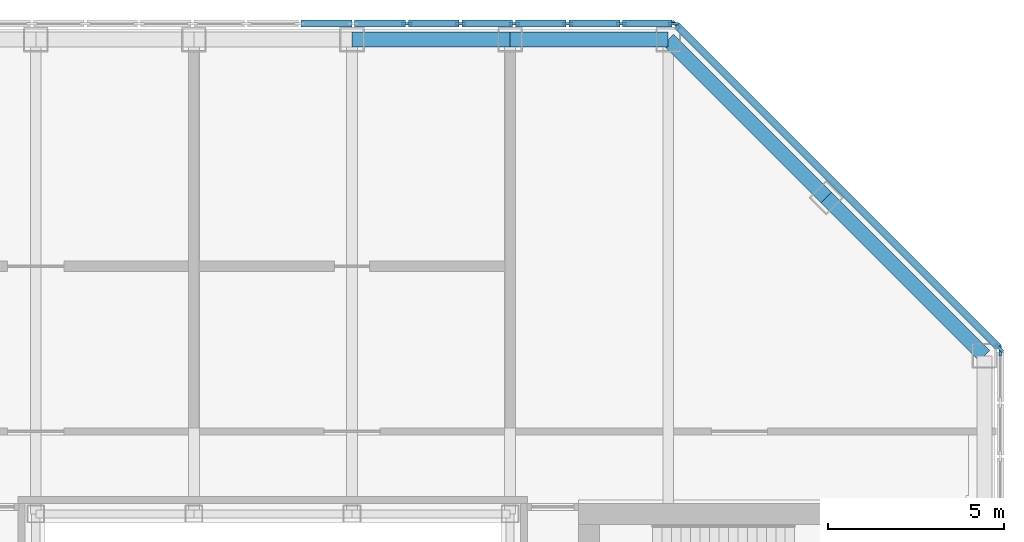
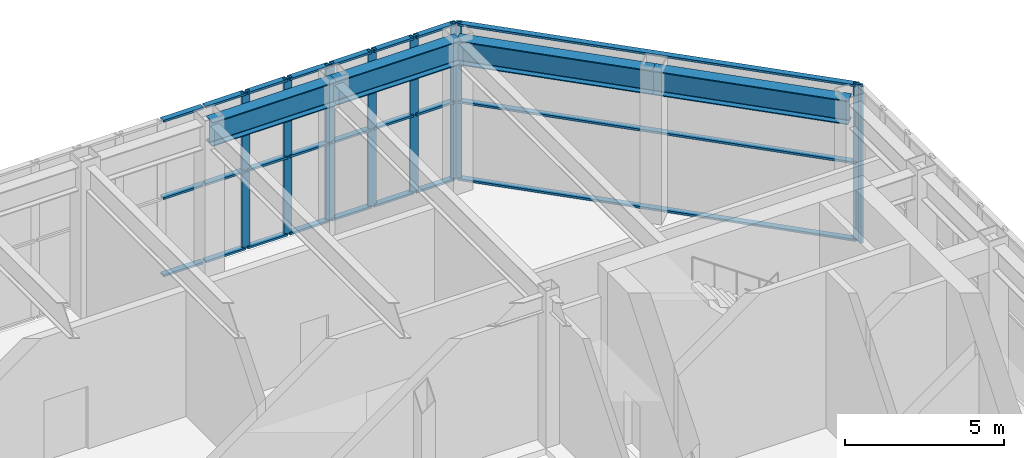
# One storey, part 6 of 12: 33 members, 4 beams, 3 elements without a shape of their own.
"""IFC4 building model written with IfcOpenShell, lengths in metres."""

from ifc_helpers import new_model, si_unit, direction, frame, origin, origin_2d, place, context, subcontext, project, spatial, rectangle, i_section, extrude, material, material_profile, profile_set, type_object, element, aggregate, save


model = new_model("IFC4")

# Units and contexts
model_context = context("Model", 3, precision=1e-05, world=origin(), true_north=direction((0.0, 1.0)))
body_context = subcontext(model_context, "Body", "Model", "MODEL_VIEW")
ifc_project = project(units=[si_unit("LENGTHUNIT", "METRE"), si_unit("AREAUNIT", "SQUARE_METRE"), si_unit("VOLUMEUNIT", "CUBIC_METRE"), si_unit("PLANEANGLEUNIT", "RADIAN"), si_unit("MASSUNIT", "GRAM", prefix="KILO")], contexts=[model_context])

# Site, building, storey
site_placement = place(None, origin())
site = spatial("IfcSite", under=ifc_project, at=site_placement, CompositionType="ELEMENT")
building_placement = place(site_placement, origin())
building = spatial("IfcBuilding", under=site, at=building_placement, Name="Msasa Ring Tower", CompositionType="ELEMENT")
storey_placement = place(building_placement, frame((0.0, 0.0, 262.050048828125)))
storey = spatial("IfcBuildingStorey", under=building, at=storey_placement, Name="L68", CompositionType="ELEMENT", Elevation=262.050048828125)

# Curtain wall, member
ifc_material_1 = material(Name="Aluminium curtain wall with clear glass", Category="aluminium")
curtain_wall_type = type_object("IfcCurtainWallType", Name="CW-L LANTERN CURTAIN WALL", PredefinedType="NOTDEFINED", material=ifc_material_1)
curtain_wall_1_placement = place(storey_placement, origin())
curtain_wall_1 = element("IfcCurtainWall", 1, at=curtain_wall_1_placement, inside=storey, type_object=curtain_wall_type, Name="Lantern curtain wall E L68", PredefinedType="NOTDEFINED")
ifc_material_2 = material(Name="Aluminium mullion", Category="aluminium")
ifc_material_profile_1 = material_profile(ifc_material_2, rectangle(XDim=0.080078125, YDim=0.300048828125, at=origin_2d()), Name="AL 80x300")
ifc_profile_set_1 = profile_set([ifc_material_profile_1], Name="Aluminium mullion")
member_type_1 = type_object("IfcMemberType", Name="CW-L MULLION 80x300", PredefinedType="MULLION", material=ifc_profile_set_1)
member_1_placement = place(storey_placement, frame((20.699951171875, 11.396484375, 0.0), z_axis=(0.0, 0.0, 1.0), x_axis=(-1.0, 0.0, 0.0)))
member_1 = element("IfcMember", 2, at=member_1_placement, type_object=member_type_1, Name="CW-L mullion 16", PredefinedType="MULLION", context=body_context, shape_type="SweptSolid", body=[
    extrude(rectangle(XDim=0.080078125, YDim=0.300048828125, at=origin_2d()), origin(), (0.0, 0.0, 1.0), 6.0),
])
aggregate(curtain_wall_1, [member_1])

# Curtain wall, members
curtain_wall_2_placement = place(storey_placement, origin())
curtain_wall_2 = element("IfcCurtainWall", 3, at=curtain_wall_2_placement, inside=storey, type_object=curtain_wall_type, Name="Lantern curtain wall NE L68", PredefinedType="NOTDEFINED")
member_2_placement = place(storey_placement, frame((20.671630859375, 11.464599609375, 0.0), z_axis=(0.0, 0.0, 1.0), x_axis=(-0.707106781187, -0.707106781187, 0.0)))
member_2 = element("IfcMember", 4, at=member_2_placement, type_object=member_type_1, Name="CW-L mullion 1", PredefinedType="MULLION", context=body_context, shape_type="SweptSolid", body=[
    extrude(rectangle(XDim=0.080078125, YDim=0.300048828125, at=origin_2d()), origin(), (0.0, 0.0, 1.0), 6.0),
])
member_3_placement = place(storey_placement, frame((11.464599609375, 20.671630859375, 0.0), z_axis=(0.0, 0.0, 1.0), x_axis=(-0.707106781187, -0.707106781187, 0.0)))
member_3 = element("IfcMember", 5, at=member_3_placement, type_object=member_type_1, Name="CW-L mullion 2", PredefinedType="MULLION", context=body_context, shape_type="SweptSolid", body=[
    extrude(rectangle(XDim=0.080078125, YDim=0.300048828125, at=origin_2d()), origin(), (0.0, 0.0, 1.0), 6.0),
])

curtain_wall_3_placement = place(storey_placement, origin())
curtain_wall_3 = element("IfcCurtainWall", 6, at=curtain_wall_3_placement, inside=storey, type_object=curtain_wall_type, Name="Lantern curtain wall N L68", PredefinedType="NOTDEFINED")
member_4_placement = place(storey_placement, frame((11.396484375, 20.699951171875, 0.0), z_axis=(0.0, 0.0, 1.0), x_axis=(0.0, -1.0, 0.0)))
member_4 = element("IfcMember", 7, at=member_4_placement, type_object=member_type_1, Name="CW-L mullion 1", PredefinedType="MULLION", context=body_context, shape_type="SweptSolid", body=[
    extrude(rectangle(XDim=0.080078125, YDim=0.300048828125, at=origin_2d()), origin(), (0.0, 0.0, 1.0), 6.0),
])
member_5_placement = place(storey_placement, frame((9.91162109375, 20.699951171875, 0.0), z_axis=(0.0, 0.0, 1.0), x_axis=(0.0, -1.0, 0.0)))
member_5 = element("IfcMember", 8, at=member_5_placement, type_object=member_type_1, Name="CW-L mullion 2", PredefinedType="MULLION", context=body_context, shape_type="SweptSolid", body=[
    extrude(rectangle(XDim=0.080078125, YDim=0.300048828125, at=origin_2d()), origin(), (0.0, 0.0, 1.0), 6.0),
])
member_6_placement = place(storey_placement, frame((8.38671875, 20.699951171875, 0.0), z_axis=(0.0, 0.0, 1.0), x_axis=(0.0, -1.0, 0.0)))
member_6 = element("IfcMember", 9, at=member_6_placement, type_object=member_type_1, Name="CW-L mullion 3", PredefinedType="MULLION", context=body_context, shape_type="SweptSolid", body=[
    extrude(rectangle(XDim=0.080078125, YDim=0.300048828125, at=origin_2d()), origin(), (0.0, 0.0, 1.0), 6.0),
])
member_7_placement = place(storey_placement, frame((6.86181640625, 20.699951171875, 0.0), z_axis=(0.0, 0.0, 1.0), x_axis=(0.0, -1.0, 0.0)))
member_7 = element("IfcMember", 10, at=member_7_placement, type_object=member_type_1, Name="CW-L mullion 4", PredefinedType="MULLION", context=body_context, shape_type="SweptSolid", body=[
    extrude(rectangle(XDim=0.080078125, YDim=0.300048828125, at=origin_2d()), origin(), (0.0, 0.0, 1.0), 6.0),
])
member_8_placement = place(storey_placement, frame((5.3369140625, 20.699951171875, 0.0), z_axis=(0.0, 0.0, 1.0), x_axis=(0.0, -1.0, 0.0)))
member_8 = element("IfcMember", 11, at=member_8_placement, type_object=member_type_1, Name="CW-L mullion 5", PredefinedType="MULLION", context=body_context, shape_type="SweptSolid", body=[
    extrude(rectangle(XDim=0.080078125, YDim=0.300048828125, at=origin_2d()), origin(), (0.0, 0.0, 1.0), 6.0),
])
member_9_placement = place(storey_placement, frame((3.81201171875, 20.699951171875, 0.0), z_axis=(0.0, 0.0, 1.0), x_axis=(0.0, -1.0, 0.0)))
member_9 = element("IfcMember", 12, at=member_9_placement, type_object=member_type_1, Name="CW-L mullion 6", PredefinedType="MULLION", context=body_context, shape_type="SweptSolid", body=[
    extrude(rectangle(XDim=0.080078125, YDim=0.300048828125, at=origin_2d()), origin(), (0.0, 0.0, 1.0), 6.0),
])

# Member
ifc_material_3 = material(Name="Aluminium transom", Category="aluminium")
ifc_material_profile_2 = material_profile(ifc_material_3, rectangle(XDim=0.199951171875, YDim=0.080078125, at=origin_2d()), Name="AL 80x200")
ifc_profile_set_2 = profile_set([ifc_material_profile_2], Name="Aluminium transom")
member_type_2 = type_object("IfcMemberType", Name="CW-L TRANSOM 80x200", PredefinedType="USERDEFINED", material=ifc_profile_set_2)
member_10_placement = place(storey_placement, frame((20.643310546875, 11.492919921875, 0.0400390625), z_axis=(-0.707106781187, 0.707106781187, 0.0), x_axis=(-0.707106781187, -0.707106781187, 0.0)))
member_10 = element("IfcMember", 13, at=member_10_placement, type_object=member_type_2, Name="CW-L transom 1.1", ObjectType="TRANSOM", PredefinedType="USERDEFINED", context=body_context, shape_type="SweptSolid", body=[
    extrude(rectangle(XDim=0.199951171875, YDim=0.080078125, at=origin_2d()), origin(), (0.0, 0.0, 1.0), 12.940673828125),
])

member_11_placement = place(storey_placement, frame((20.643310546875, 11.492919921875, 3.0), z_axis=(-0.707106781187, 0.707106781187, 0.0), x_axis=(-0.707106781187, -0.707106781187, 0.0)))
member_11 = element("IfcMember", 14, at=member_11_placement, type_object=member_type_2, Name="CW-L transom 1.2", ObjectType="TRANSOM", PredefinedType="USERDEFINED", context=body_context, shape_type="SweptSolid", body=[
    extrude(rectangle(XDim=0.199951171875, YDim=0.080078125, at=origin_2d()), origin(), (0.0, 0.0, 1.0), 12.940673828125),
])

member_12_placement = place(storey_placement, frame((20.643310546875, 11.492919921875, 5.9599609375), z_axis=(-0.707106781187, 0.707106781187, 0.0), x_axis=(-0.707106781187, -0.707106781187, 0.0)))
member_12 = element("IfcMember", 15, at=member_12_placement, type_object=member_type_2, Name="CW-L transom 1.3", ObjectType="TRANSOM", PredefinedType="USERDEFINED", context=body_context, shape_type="SweptSolid", body=[
    extrude(rectangle(XDim=0.199951171875, YDim=0.080078125, at=origin_2d()), origin(), (0.0, 0.0, 1.0), 12.940673828125),
])

aggregate(curtain_wall_2, [member_2, member_3, member_10, member_11, member_12])

member_13_placement = place(storey_placement, frame((11.3564453125, 20.699951171875, 0.0400390625), z_axis=(-1.0, 0.0, 0.0), x_axis=(0.0, -1.0, 0.0)))
member_13 = element("IfcMember", 16, at=member_13_placement, type_object=member_type_2, Name="CW-L transom 1.1", ObjectType="TRANSOM", PredefinedType="USERDEFINED", context=body_context, shape_type="SweptSolid", body=[
    extrude(rectangle(XDim=0.199951171875, YDim=0.080078125, at=origin_2d()), origin(), (0.0, 0.0, 1.0), 1.40478515625),
])

member_14_placement = place(storey_placement, frame((11.3564453125, 20.699951171875, 3.0), z_axis=(-1.0, 0.0, 0.0), x_axis=(0.0, -1.0, 0.0)))
member_14 = element("IfcMember", 17, at=member_14_placement, type_object=member_type_2, Name="CW-L transom 1.2", ObjectType="TRANSOM", PredefinedType="USERDEFINED", context=body_context, shape_type="SweptSolid", body=[
    extrude(rectangle(XDim=0.199951171875, YDim=0.080078125, at=origin_2d()), origin(), (0.0, 0.0, 1.0), 1.40478515625),
])

member_15_placement = place(storey_placement, frame((11.3564453125, 20.699951171875, 5.9599609375), z_axis=(-1.0, 0.0, 0.0), x_axis=(0.0, -1.0, 0.0)))
member_15 = element("IfcMember", 18, at=member_15_placement, type_object=member_type_2, Name="CW-L transom 1.3", ObjectType="TRANSOM", PredefinedType="USERDEFINED", context=body_context, shape_type="SweptSolid", body=[
    extrude(rectangle(XDim=0.199951171875, YDim=0.080078125, at=origin_2d()), origin(), (0.0, 0.0, 1.0), 1.40478515625),
])

member_16_placement = place(storey_placement, frame((9.87158203125, 20.699951171875, 0.0400390625), z_axis=(-1.0, 0.0, 0.0), x_axis=(0.0, -1.0, 0.0)))
member_16 = element("IfcMember", 19, at=member_16_placement, type_object=member_type_2, Name="CW-L transom 2.1", ObjectType="TRANSOM", PredefinedType="USERDEFINED", context=body_context, shape_type="SweptSolid", body=[
    extrude(rectangle(XDim=0.199951171875, YDim=0.080078125, at=origin_2d()), origin(), (0.0, 0.0, 1.0), 1.44482421875),
])

member_17_placement = place(storey_placement, frame((9.87158203125, 20.699951171875, 3.0), z_axis=(-1.0, 0.0, 0.0), x_axis=(0.0, -1.0, 0.0)))
member_17 = element("IfcMember", 20, at=member_17_placement, type_object=member_type_2, Name="CW-L transom 2.2", ObjectType="TRANSOM", PredefinedType="USERDEFINED", context=body_context, shape_type="SweptSolid", body=[
    extrude(rectangle(XDim=0.199951171875, YDim=0.080078125, at=origin_2d()), origin(), (0.0, 0.0, 1.0), 1.44482421875),
])

member_18_placement = place(storey_placement, frame((9.87158203125, 20.699951171875, 5.9599609375), z_axis=(-1.0, 0.0, 0.0), x_axis=(0.0, -1.0, 0.0)))
member_18 = element("IfcMember", 21, at=member_18_placement, type_object=member_type_2, Name="CW-L transom 2.3", ObjectType="TRANSOM", PredefinedType="USERDEFINED", context=body_context, shape_type="SweptSolid", body=[
    extrude(rectangle(XDim=0.199951171875, YDim=0.080078125, at=origin_2d()), origin(), (0.0, 0.0, 1.0), 1.44482421875),
])

member_19_placement = place(storey_placement, frame((8.3466796875, 20.699951171875, 0.0400390625), z_axis=(-1.0, 0.0, 0.0), x_axis=(0.0, -1.0, 0.0)))
member_19 = element("IfcMember", 22, at=member_19_placement, type_object=member_type_2, Name="CW-L transom 3.1", ObjectType="TRANSOM", PredefinedType="USERDEFINED", context=body_context, shape_type="SweptSolid", body=[
    extrude(rectangle(XDim=0.199951171875, YDim=0.080078125, at=origin_2d()), origin(), (0.0, 0.0, 1.0), 1.44482421875),
])

member_20_placement = place(storey_placement, frame((8.3466796875, 20.699951171875, 3.0), z_axis=(-1.0, 0.0, 0.0), x_axis=(0.0, -1.0, 0.0)))
member_20 = element("IfcMember", 23, at=member_20_placement, type_object=member_type_2, Name="CW-L transom 3.2", ObjectType="TRANSOM", PredefinedType="USERDEFINED", context=body_context, shape_type="SweptSolid", body=[
    extrude(rectangle(XDim=0.199951171875, YDim=0.080078125, at=origin_2d()), origin(), (0.0, 0.0, 1.0), 1.44482421875),
])

member_21_placement = place(storey_placement, frame((8.3466796875, 20.699951171875, 5.9599609375), z_axis=(-1.0, 0.0, 0.0), x_axis=(0.0, -1.0, 0.0)))
member_21 = element("IfcMember", 24, at=member_21_placement, type_object=member_type_2, Name="CW-L transom 3.3", ObjectType="TRANSOM", PredefinedType="USERDEFINED", context=body_context, shape_type="SweptSolid", body=[
    extrude(rectangle(XDim=0.199951171875, YDim=0.080078125, at=origin_2d()), origin(), (0.0, 0.0, 1.0), 1.44482421875),
])

member_22_placement = place(storey_placement, frame((6.82177734375, 20.699951171875, 0.0400390625), z_axis=(-1.0, 0.0, 0.0), x_axis=(0.0, -1.0, 0.0)))
member_22 = element("IfcMember", 25, at=member_22_placement, type_object=member_type_2, Name="CW-L transom 4.1", ObjectType="TRANSOM", PredefinedType="USERDEFINED", context=body_context, shape_type="SweptSolid", body=[
    extrude(rectangle(XDim=0.199951171875, YDim=0.080078125, at=origin_2d()), origin(), (0.0, 0.0, 1.0), 1.44482421875),
])

member_23_placement = place(storey_placement, frame((6.82177734375, 20.699951171875, 3.0), z_axis=(-1.0, 0.0, 0.0), x_axis=(0.0, -1.0, 0.0)))
member_23 = element("IfcMember", 26, at=member_23_placement, type_object=member_type_2, Name="CW-L transom 4.2", ObjectType="TRANSOM", PredefinedType="USERDEFINED", context=body_context, shape_type="SweptSolid", body=[
    extrude(rectangle(XDim=0.199951171875, YDim=0.080078125, at=origin_2d()), origin(), (0.0, 0.0, 1.0), 1.44482421875),
])

member_24_placement = place(storey_placement, frame((6.82177734375, 20.699951171875, 5.9599609375), z_axis=(-1.0, 0.0, 0.0), x_axis=(0.0, -1.0, 0.0)))
member_24 = element("IfcMember", 27, at=member_24_placement, type_object=member_type_2, Name="CW-L transom 4.3", ObjectType="TRANSOM", PredefinedType="USERDEFINED", context=body_context, shape_type="SweptSolid", body=[
    extrude(rectangle(XDim=0.199951171875, YDim=0.080078125, at=origin_2d()), origin(), (0.0, 0.0, 1.0), 1.44482421875),
])

member_25_placement = place(storey_placement, frame((5.296875, 20.699951171875, 0.0400390625), z_axis=(-1.0, 0.0, 0.0), x_axis=(0.0, -1.0, 0.0)))
member_25 = element("IfcMember", 28, at=member_25_placement, type_object=member_type_2, Name="CW-L transom 5.1", ObjectType="TRANSOM", PredefinedType="USERDEFINED", context=body_context, shape_type="SweptSolid", body=[
    extrude(rectangle(XDim=0.199951171875, YDim=0.080078125, at=origin_2d()), origin(), (0.0, 0.0, 1.0), 1.44482421875),
])

member_26_placement = place(storey_placement, frame((5.296875, 20.699951171875, 3.0), z_axis=(-1.0, 0.0, 0.0), x_axis=(0.0, -1.0, 0.0)))
member_26 = element("IfcMember", 29, at=member_26_placement, type_object=member_type_2, Name="CW-L transom 5.2", ObjectType="TRANSOM", PredefinedType="USERDEFINED", context=body_context, shape_type="SweptSolid", body=[
    extrude(rectangle(XDim=0.199951171875, YDim=0.080078125, at=origin_2d()), origin(), (0.0, 0.0, 1.0), 1.44482421875),
])

member_27_placement = place(storey_placement, frame((5.296875, 20.699951171875, 5.9599609375), z_axis=(-1.0, 0.0, 0.0), x_axis=(0.0, -1.0, 0.0)))
member_27 = element("IfcMember", 30, at=member_27_placement, type_object=member_type_2, Name="CW-L transom 5.3", ObjectType="TRANSOM", PredefinedType="USERDEFINED", context=body_context, shape_type="SweptSolid", body=[
    extrude(rectangle(XDim=0.199951171875, YDim=0.080078125, at=origin_2d()), origin(), (0.0, 0.0, 1.0), 1.44482421875),
])

member_28_placement = place(storey_placement, frame((3.772216796875, 20.699951171875, 0.0400390625), z_axis=(-1.0, 0.0, 0.0), x_axis=(0.0, -1.0, 0.0)))
member_28 = element("IfcMember", 31, at=member_28_placement, type_object=member_type_2, Name="CW-L transom 6.1", ObjectType="TRANSOM", PredefinedType="USERDEFINED", context=body_context, shape_type="SweptSolid", body=[
    extrude(rectangle(XDim=0.199951171875, YDim=0.080078125, at=origin_2d()), origin(), (0.0, 0.0, 1.0), 1.44482421875),
])

member_29_placement = place(storey_placement, frame((3.772216796875, 20.699951171875, 3.0), z_axis=(-1.0, 0.0, 0.0), x_axis=(0.0, -1.0, 0.0)))
member_29 = element("IfcMember", 32, at=member_29_placement, type_object=member_type_2, Name="CW-L transom 6.2", ObjectType="TRANSOM", PredefinedType="USERDEFINED", context=body_context, shape_type="SweptSolid", body=[
    extrude(rectangle(XDim=0.199951171875, YDim=0.080078125, at=origin_2d()), origin(), (0.0, 0.0, 1.0), 1.44482421875),
])

member_30_placement = place(storey_placement, frame((3.772216796875, 20.699951171875, 5.9599609375), z_axis=(-1.0, 0.0, 0.0), x_axis=(0.0, -1.0, 0.0)))
member_30 = element("IfcMember", 33, at=member_30_placement, type_object=member_type_2, Name="CW-L transom 6.3", ObjectType="TRANSOM", PredefinedType="USERDEFINED", context=body_context, shape_type="SweptSolid", body=[
    extrude(rectangle(XDim=0.199951171875, YDim=0.080078125, at=origin_2d()), origin(), (0.0, 0.0, 1.0), 1.44482421875),
])

member_31_placement = place(storey_placement, frame((2.247314453125, 20.699951171875, 0.0400390625), z_axis=(-1.0, 0.0, 0.0), x_axis=(0.0, -1.0, 0.0)))
member_31 = element("IfcMember", 34, at=member_31_placement, type_object=member_type_2, Name="CW-L transom 7.1", ObjectType="TRANSOM", PredefinedType="USERDEFINED", context=body_context, shape_type="SweptSolid", body=[
    extrude(rectangle(XDim=0.199951171875, YDim=0.080078125, at=origin_2d()), origin(), (0.0, 0.0, 1.0), 1.44482421875),
])

member_32_placement = place(storey_placement, frame((2.247314453125, 20.699951171875, 3.0), z_axis=(-1.0, 0.0, 0.0), x_axis=(0.0, -1.0, 0.0)))
member_32 = element("IfcMember", 35, at=member_32_placement, type_object=member_type_2, Name="CW-L transom 7.2", ObjectType="TRANSOM", PredefinedType="USERDEFINED", context=body_context, shape_type="SweptSolid", body=[
    extrude(rectangle(XDim=0.199951171875, YDim=0.080078125, at=origin_2d()), origin(), (0.0, 0.0, 1.0), 1.44482421875),
])

member_33_placement = place(storey_placement, frame((2.247314453125, 20.699951171875, 5.9599609375), z_axis=(-1.0, 0.0, 0.0), x_axis=(0.0, -1.0, 0.0)))
member_33 = element("IfcMember", 36, at=member_33_placement, type_object=member_type_2, Name="CW-L transom 7.3", ObjectType="TRANSOM", PredefinedType="USERDEFINED", context=body_context, shape_type="SweptSolid", body=[
    extrude(rectangle(XDim=0.199951171875, YDim=0.080078125, at=origin_2d()), origin(), (0.0, 0.0, 1.0), 1.44482421875),
])

aggregate(curtain_wall_3, [member_4, member_5, member_6, member_7, member_8, member_9, member_13, member_14, member_15, member_16, member_17, member_18, member_19, member_20, member_21, member_22, member_23, member_24, member_25, member_26, member_27, member_28, member_29, member_30, member_31, member_32, member_33])

# Beams
ifc_material_4 = material(Name="Steel S355", Category="steel")
ifc_material_profile_3 = material_profile(ifc_material_4, i_section(OverallWidth=0.42041015625, OverallDepth=0.9208984375, WebThickness=0.021484375, FlangeThickness=0.03662109375, FilletRadius=0.024169921875, at=origin_2d()), Name="UB 914x419x388")
ifc_profile_set_3 = profile_set([ifc_material_profile_3], Name="Steel S355")
beam_type = type_object("IfcBeamType", Name="SB1 UB 914x419x388", PredefinedType="SPANDREL", material=ifc_profile_set_3)
for number, where, z_axis, x_axis, name in (
    (37, (20.25, 11.25, 5.28955078125), (-0.707106781187, 0.707106781187, 0.0), (-0.707106781187, -0.707106781187, 0.0), "Spandrel E+11.25 to NE under L69"),
    (38, (15.75, 15.75, 5.28955078125), (-0.707106781187, 0.707106781187, 0.0), (-0.707106781187, -0.707106781187, 0.0), "Spandrel NE to N+11.25 under L69"),
):
    element("IfcBeam", number, at=place(storey_placement, frame(where, z_axis=z_axis, x_axis=x_axis)), inside=storey, type_object=beam_type, Name=name, PredefinedType="SPANDREL", context=body_context, shape_type="SweptSolid", body=[
        extrude(i_section(OverallWidth=0.42041015625, OverallDepth=0.9208984375, WebThickness=0.021484375, FlangeThickness=0.03662109375, FilletRadius=0.024169921875, at=origin_2d()), origin(), (0.0, 0.0, 1.0), 6.364013671875),
    ])
for number, where, z_axis, x_axis, name in (
    (39, (11.25, 20.25, 5.28955078125), (-1.0, 0.0, 0.0), (0.0, -1.0, 0.0), "Spandrel N+11.25 to N+6.75 under L69"),
    (40, (6.75, 20.25, 5.28955078125), (-1.0, 0.0, 0.0), (0.0, -1.0, 0.0), "Spandrel N+6.75 to N+2.25 under L69"),
):
    element("IfcBeam", number, at=place(storey_placement, frame(where, z_axis=z_axis, x_axis=x_axis)), inside=storey, type_object=beam_type, Name=name, PredefinedType="SPANDREL", context=body_context, shape_type="SweptSolid", body=[
        extrude(i_section(OverallWidth=0.42041015625, OverallDepth=0.9208984375, WebThickness=0.021484375, FlangeThickness=0.03662109375, FilletRadius=0.024169921875, at=origin_2d()), origin(), (0.0, 0.0, 1.0), 4.5),
    ])

save(model, "model.ifc")
